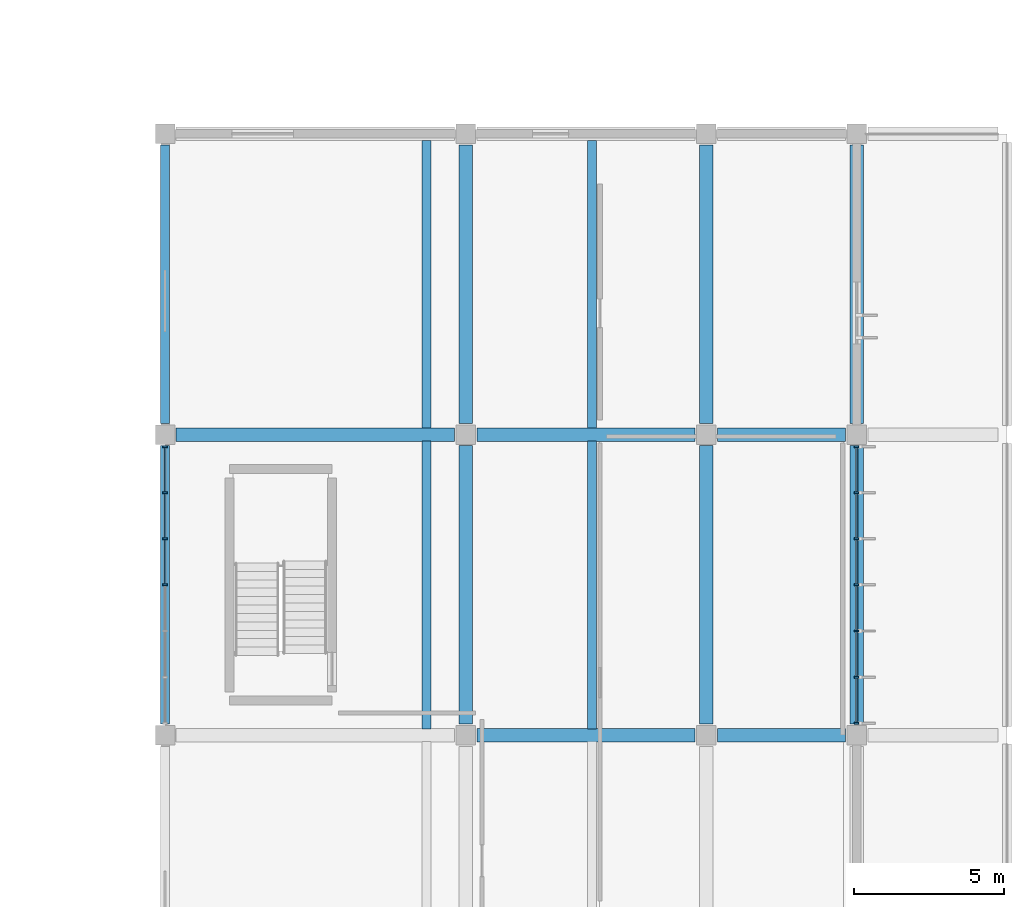
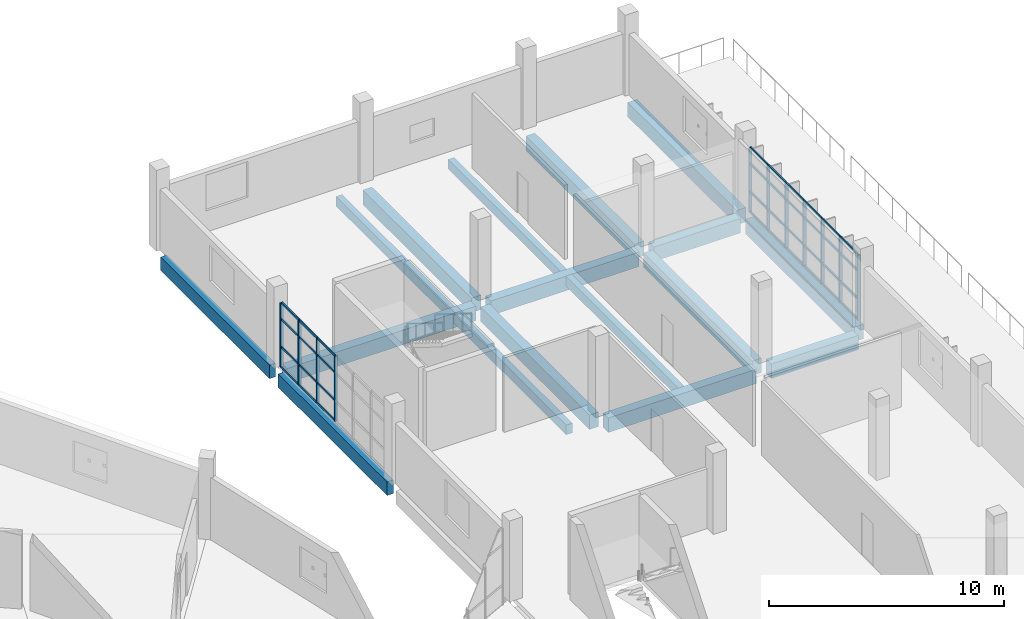
# One storey, part 67 of 142: 47 members, 17 beams, 2 elements without a shape of their own.
"""IFC4 building model written with IfcOpenShell, lengths in metres."""

from ifc_helpers import new_model, si_unit, direction, frame, origin, origin_2d, place, context, subcontext, project, spatial, rectangle, extrude, material, layer, layer_set, material_profile, profile_set, type_object, element, aggregate, save


model = new_model("IFC4")

# Units and contexts
model_context = context("Model", 3, precision=1e-05, world=origin(), true_north=direction((0.0, 1.0)))
body_context = subcontext(model_context, "Body", "Model", "MODEL_VIEW")
ifc_project = project(units=[si_unit("LENGTHUNIT", "METRE"), si_unit("AREAUNIT", "SQUARE_METRE"), si_unit("VOLUMEUNIT", "CUBIC_METRE"), si_unit("PLANEANGLEUNIT", "RADIAN"), si_unit("MASSUNIT", "GRAM", prefix="KILO")], contexts=[model_context])

# Site, building, storey
site_placement = place(None, origin())
site = spatial("IfcSite", under=ifc_project, at=site_placement, CompositionType="ELEMENT")
building_placement = place(site_placement, origin())
building = spatial("IfcBuilding", under=site, at=building_placement, Name="Corvandel Quay Wholesale Market", CompositionType="ELEMENT")
storey_placement = place(building_placement, frame((0.0, 0.0, 10.800048828125)))
storey = spatial("IfcBuildingStorey", under=building, at=storey_placement, Name="L02", CompositionType="ELEMENT", Elevation=10.800048828125)

# Curtain wall, members
ifc_material_1 = material(Name="Bronze anodised aluminium and low-E insulated glazing", Category="aluminium")
ifc_layer_1 = layer(ifc_material_1, 0.14990234375)
ifc_layer_set_1 = layer_set([ifc_layer_1], Name="Bronze anodised aluminium and low-E insulated glazing")
curtain_wall_type_1 = type_object("IfcCurtainWallType", Name="Stick Curtain Wall System CW20 H4800", PredefinedType="NOTDEFINED", material=ifc_layer_set_1)
curtain_wall_1_placement = place(storey_placement, origin())
curtain_wall_1 = element("IfcCurtainWall", 1, at=curtain_wall_1_placement, inside=storey, type_object=curtain_wall_type_1, Name="Curtain Wall CW-0160", PredefinedType="NOTDEFINED")
ifc_material_2 = material(Name="Anodised aluminium 6063-T6", Category="aluminium")
ifc_material_profile_1 = material_profile(ifc_material_2, rectangle(XDim=0.06494140625, YDim=0.14990234375, at=origin_2d()), Name="ALU-MUL-65x150")
ifc_profile_set_1 = profile_set([ifc_material_profile_1], Name="Anodised aluminium 6063-T6")
member_type_1 = type_object("IfcMemberType", Name="Curtain Wall Mullion ML02 65x150", PredefinedType="MULLION", material=ifc_profile_set_1)
member_1_placement = place(storey_placement, frame((243.0, 80.39990234375, 0.0), z_axis=(0.0, 0.0, 1.0), x_axis=(0.0, 1.0, 0.0)))
member_1 = element("IfcMember", 2, at=member_1_placement, type_object=member_type_1, Name="Mullion CW-0160-M00", PredefinedType="MULLION", context=body_context, shape_type="SweptSolid", body=[
    extrude(rectangle(XDim=0.06494140625, YDim=0.14990234375, at=origin_2d()), origin(), (0.0, 0.0, 1.0), 3.349853515625),
])
member_2_placement = place(storey_placement, frame((243.0, 81.933349609375, 0.0), z_axis=(0.0, 0.0, 1.0), x_axis=(0.0, 1.0, 0.0)))
member_2 = element("IfcMember", 3, at=member_2_placement, type_object=member_type_1, Name="Mullion CW-0160-M01", PredefinedType="MULLION", context=body_context, shape_type="SweptSolid", body=[
    extrude(rectangle(XDim=0.06494140625, YDim=0.14990234375, at=origin_2d()), origin(), (0.0, 0.0, 1.0), 3.349853515625),
])
member_3_placement = place(storey_placement, frame((243.0, 83.466796875, 0.0), z_axis=(0.0, 0.0, 1.0), x_axis=(0.0, 1.0, 0.0)))
member_3 = element("IfcMember", 4, at=member_3_placement, type_object=member_type_1, Name="Mullion CW-0160-M02", PredefinedType="MULLION", context=body_context, shape_type="SweptSolid", body=[
    extrude(rectangle(XDim=0.06494140625, YDim=0.14990234375, at=origin_2d()), origin(), (0.0, 0.0, 1.0), 3.349853515625),
])
member_4_placement = place(storey_placement, frame((243.0, 85.0, 0.0), z_axis=(0.0, 0.0, 1.0), x_axis=(0.0, 1.0, 0.0)))
member_4 = element("IfcMember", 5, at=member_4_placement, type_object=member_type_1, Name="Mullion CW-0160-M03", PredefinedType="MULLION", context=body_context, shape_type="SweptSolid", body=[
    extrude(rectangle(XDim=0.06494140625, YDim=0.14990234375, at=origin_2d()), origin(), (0.0, 0.0, 1.0), 3.349853515625),
])
member_5_placement = place(storey_placement, frame((243.0, 86.533203125, 0.0), z_axis=(0.0, 0.0, 1.0), x_axis=(0.0, 1.0, 0.0)))
member_5 = element("IfcMember", 6, at=member_5_placement, type_object=member_type_1, Name="Mullion CW-0160-M04", PredefinedType="MULLION", context=body_context, shape_type="SweptSolid", body=[
    extrude(rectangle(XDim=0.06494140625, YDim=0.14990234375, at=origin_2d()), origin(), (0.0, 0.0, 1.0), 3.349853515625),
])
member_6_placement = place(storey_placement, frame((243.0, 88.066650390625, 0.0), z_axis=(0.0, 0.0, 1.0), x_axis=(0.0, 1.0, 0.0)))
member_6 = element("IfcMember", 7, at=member_6_placement, type_object=member_type_1, Name="Mullion CW-0160-M05", PredefinedType="MULLION", context=body_context, shape_type="SweptSolid", body=[
    extrude(rectangle(XDim=0.06494140625, YDim=0.14990234375, at=origin_2d()), origin(), (0.0, 0.0, 1.0), 3.349853515625),
])
member_7_placement = place(storey_placement, frame((243.0, 89.60009765625, 0.0), z_axis=(0.0, 0.0, 1.0), x_axis=(0.0, 1.0, 0.0)))
member_7 = element("IfcMember", 8, at=member_7_placement, type_object=member_type_1, Name="Mullion CW-0160-M06", PredefinedType="MULLION", context=body_context, shape_type="SweptSolid", body=[
    extrude(rectangle(XDim=0.06494140625, YDim=0.14990234375, at=origin_2d()), origin(), (0.0, 0.0, 1.0), 3.349853515625),
])

ifc_layer_2 = layer(ifc_material_1, 0.162109375)
ifc_layer_set_2 = layer_set([ifc_layer_2], Name="Bronze anodised aluminium and low-E insulated glazing")
curtain_wall_type_2 = type_object("IfcCurtainWallType", Name="Stick Curtain Wall System CW26 H5340", PredefinedType="NOTDEFINED", material=ifc_layer_set_2)
curtain_wall_2_placement = place(storey_placement, origin())
curtain_wall_2 = element("IfcCurtainWall", 9, at=curtain_wall_2_placement, inside=storey, type_object=curtain_wall_type_2, Name="Curtain Wall CW-0161", PredefinedType="NOTDEFINED")
member_8_placement = place(storey_placement, frame((220.0, 85.0, 0.0), z_axis=(0.0, 0.0, 1.0), x_axis=(0.0, 1.0, 0.0)))
member_8 = element("IfcMember", 10, at=member_8_placement, type_object=member_type_1, Name="Mullion CW-0161-M03", PredefinedType="MULLION", context=body_context, shape_type="SweptSolid", body=[
    extrude(rectangle(XDim=0.06494140625, YDim=0.14990234375, at=origin_2d()), origin(), (0.0, 0.0, 1.0), 3.349853515625),
])
member_9_placement = place(storey_placement, frame((220.0, 86.533203125, 0.0), z_axis=(0.0, 0.0, 1.0), x_axis=(0.0, 1.0, 0.0)))
member_9 = element("IfcMember", 11, at=member_9_placement, type_object=member_type_1, Name="Mullion CW-0161-M04", PredefinedType="MULLION", context=body_context, shape_type="SweptSolid", body=[
    extrude(rectangle(XDim=0.06494140625, YDim=0.14990234375, at=origin_2d()), origin(), (0.0, 0.0, 1.0), 3.349853515625),
])
member_10_placement = place(storey_placement, frame((220.0, 88.066650390625, 0.0), z_axis=(0.0, 0.0, 1.0), x_axis=(0.0, 1.0, 0.0)))
member_10 = element("IfcMember", 12, at=member_10_placement, type_object=member_type_1, Name="Mullion CW-0161-M05", PredefinedType="MULLION", context=body_context, shape_type="SweptSolid", body=[
    extrude(rectangle(XDim=0.06494140625, YDim=0.14990234375, at=origin_2d()), origin(), (0.0, 0.0, 1.0), 3.349853515625),
])
member_11_placement = place(storey_placement, frame((220.0, 89.60009765625, 0.0), z_axis=(0.0, 0.0, 1.0), x_axis=(0.0, 1.0, 0.0)))
member_11 = element("IfcMember", 13, at=member_11_placement, type_object=member_type_1, Name="Mullion CW-0161-M06", PredefinedType="MULLION", context=body_context, shape_type="SweptSolid", body=[
    extrude(rectangle(XDim=0.06494140625, YDim=0.14990234375, at=origin_2d()), origin(), (0.0, 0.0, 1.0), 3.349853515625),
])

# Member
ifc_material_profile_2 = material_profile(ifc_material_2, rectangle(XDim=0.06005859375, YDim=0.110107421875, at=origin_2d()), Name="ALU-TRN-60x110")
ifc_profile_set_2 = profile_set([ifc_material_profile_2], Name="Anodised aluminium 6063-T6")
member_type_2 = type_object("IfcMemberType", Name="Curtain Wall Transom TR02 60x110", PredefinedType="USERDEFINED", material=ifc_profile_set_2)
member_12_placement = place(storey_placement, frame((243.0, 80.4326171875, 0.0), z_axis=(0.0, 1.0, 0.0), x_axis=(-1.0, 0.0, 0.0)))
member_12 = element("IfcMember", 14, at=member_12_placement, type_object=member_type_2, Name="Transom CW-0160-T00-0", ObjectType="TRANSOM", PredefinedType="USERDEFINED", context=body_context, shape_type="SweptSolid", body=[
    extrude(rectangle(XDim=0.06005859375, YDim=0.110107421875, at=origin_2d()), origin(), (0.0, 0.0, 1.0), 1.46826171875),
])

member_13_placement = place(storey_placement, frame((243.0, 80.4326171875, 1.050048828125), z_axis=(0.0, 1.0, 0.0), x_axis=(-1.0, 0.0, 0.0)))
member_13 = element("IfcMember", 15, at=member_13_placement, type_object=member_type_2, Name="Transom CW-0160-T00-1", ObjectType="TRANSOM", PredefinedType="USERDEFINED", context=body_context, shape_type="SweptSolid", body=[
    extrude(rectangle(XDim=0.06005859375, YDim=0.110107421875, at=origin_2d()), origin(), (0.0, 0.0, 1.0), 1.46826171875),
])

member_14_placement = place(storey_placement, frame((243.0, 80.4326171875, 2.5), z_axis=(0.0, 1.0, 0.0), x_axis=(-1.0, 0.0, 0.0)))
member_14 = element("IfcMember", 16, at=member_14_placement, type_object=member_type_2, Name="Transom CW-0160-T00-2", ObjectType="TRANSOM", PredefinedType="USERDEFINED", context=body_context, shape_type="SweptSolid", body=[
    extrude(rectangle(XDim=0.06005859375, YDim=0.110107421875, at=origin_2d()), origin(), (0.0, 0.0, 1.0), 1.46826171875),
])

member_15_placement = place(storey_placement, frame((243.0, 80.4326171875, 3.349853515625), z_axis=(0.0, 1.0, 0.0), x_axis=(-1.0, 0.0, 0.0)))
member_15 = element("IfcMember", 17, at=member_15_placement, type_object=member_type_2, Name="Transom CW-0160-T00-3", ObjectType="TRANSOM", PredefinedType="USERDEFINED", context=body_context, shape_type="SweptSolid", body=[
    extrude(rectangle(XDim=0.06005859375, YDim=0.110107421875, at=origin_2d()), origin(), (0.0, 0.0, 1.0), 1.46826171875),
])

member_16_placement = place(storey_placement, frame((243.0, 81.9658203125, 0.0), z_axis=(0.0, 1.0, 0.0), x_axis=(-1.0, 0.0, 0.0)))
member_16 = element("IfcMember", 18, at=member_16_placement, type_object=member_type_2, Name="Transom CW-0160-T01-0", ObjectType="TRANSOM", PredefinedType="USERDEFINED", context=body_context, shape_type="SweptSolid", body=[
    extrude(rectangle(XDim=0.06005859375, YDim=0.110107421875, at=origin_2d()), origin(), (0.0, 0.0, 1.0), 1.46826171875),
])

member_17_placement = place(storey_placement, frame((243.0, 81.9658203125, 1.050048828125), z_axis=(0.0, 1.0, 0.0), x_axis=(-1.0, 0.0, 0.0)))
member_17 = element("IfcMember", 19, at=member_17_placement, type_object=member_type_2, Name="Transom CW-0160-T01-1", ObjectType="TRANSOM", PredefinedType="USERDEFINED", context=body_context, shape_type="SweptSolid", body=[
    extrude(rectangle(XDim=0.06005859375, YDim=0.110107421875, at=origin_2d()), origin(), (0.0, 0.0, 1.0), 1.46826171875),
])

member_18_placement = place(storey_placement, frame((243.0, 81.9658203125, 2.5), z_axis=(0.0, 1.0, 0.0), x_axis=(-1.0, 0.0, 0.0)))
member_18 = element("IfcMember", 20, at=member_18_placement, type_object=member_type_2, Name="Transom CW-0160-T01-2", ObjectType="TRANSOM", PredefinedType="USERDEFINED", context=body_context, shape_type="SweptSolid", body=[
    extrude(rectangle(XDim=0.06005859375, YDim=0.110107421875, at=origin_2d()), origin(), (0.0, 0.0, 1.0), 1.46826171875),
])

member_19_placement = place(storey_placement, frame((243.0, 81.9658203125, 3.349853515625), z_axis=(0.0, 1.0, 0.0), x_axis=(-1.0, 0.0, 0.0)))
member_19 = element("IfcMember", 21, at=member_19_placement, type_object=member_type_2, Name="Transom CW-0160-T01-3", ObjectType="TRANSOM", PredefinedType="USERDEFINED", context=body_context, shape_type="SweptSolid", body=[
    extrude(rectangle(XDim=0.06005859375, YDim=0.110107421875, at=origin_2d()), origin(), (0.0, 0.0, 1.0), 1.46826171875),
])

member_20_placement = place(storey_placement, frame((243.0, 83.499267578125, 0.0), z_axis=(0.0, 1.0, 0.0), x_axis=(-1.0, 0.0, 0.0)))
member_20 = element("IfcMember", 22, at=member_20_placement, type_object=member_type_2, Name="Transom CW-0160-T02-0", ObjectType="TRANSOM", PredefinedType="USERDEFINED", context=body_context, shape_type="SweptSolid", body=[
    extrude(rectangle(XDim=0.06005859375, YDim=0.110107421875, at=origin_2d()), origin(), (0.0, 0.0, 1.0), 1.46826171875),
])

member_21_placement = place(storey_placement, frame((243.0, 83.499267578125, 1.050048828125), z_axis=(0.0, 1.0, 0.0), x_axis=(-1.0, 0.0, 0.0)))
member_21 = element("IfcMember", 23, at=member_21_placement, type_object=member_type_2, Name="Transom CW-0160-T02-1", ObjectType="TRANSOM", PredefinedType="USERDEFINED", context=body_context, shape_type="SweptSolid", body=[
    extrude(rectangle(XDim=0.06005859375, YDim=0.110107421875, at=origin_2d()), origin(), (0.0, 0.0, 1.0), 1.46826171875),
])

member_22_placement = place(storey_placement, frame((243.0, 83.499267578125, 2.5), z_axis=(0.0, 1.0, 0.0), x_axis=(-1.0, 0.0, 0.0)))
member_22 = element("IfcMember", 24, at=member_22_placement, type_object=member_type_2, Name="Transom CW-0160-T02-2", ObjectType="TRANSOM", PredefinedType="USERDEFINED", context=body_context, shape_type="SweptSolid", body=[
    extrude(rectangle(XDim=0.06005859375, YDim=0.110107421875, at=origin_2d()), origin(), (0.0, 0.0, 1.0), 1.46826171875),
])

member_23_placement = place(storey_placement, frame((243.0, 83.499267578125, 3.349853515625), z_axis=(0.0, 1.0, 0.0), x_axis=(-1.0, 0.0, 0.0)))
member_23 = element("IfcMember", 25, at=member_23_placement, type_object=member_type_2, Name="Transom CW-0160-T02-3", ObjectType="TRANSOM", PredefinedType="USERDEFINED", context=body_context, shape_type="SweptSolid", body=[
    extrude(rectangle(XDim=0.06005859375, YDim=0.110107421875, at=origin_2d()), origin(), (0.0, 0.0, 1.0), 1.46826171875),
])

member_24_placement = place(storey_placement, frame((243.0, 85.032470703125, 0.0), z_axis=(0.0, 1.0, 0.0), x_axis=(-1.0, 0.0, 0.0)))
member_24 = element("IfcMember", 26, at=member_24_placement, type_object=member_type_2, Name="Transom CW-0160-T03-0", ObjectType="TRANSOM", PredefinedType="USERDEFINED", context=body_context, shape_type="SweptSolid", body=[
    extrude(rectangle(XDim=0.06005859375, YDim=0.110107421875, at=origin_2d()), origin(), (0.0, 0.0, 1.0), 1.46826171875),
])

member_25_placement = place(storey_placement, frame((243.0, 85.032470703125, 1.050048828125), z_axis=(0.0, 1.0, 0.0), x_axis=(-1.0, 0.0, 0.0)))
member_25 = element("IfcMember", 27, at=member_25_placement, type_object=member_type_2, Name="Transom CW-0160-T03-1", ObjectType="TRANSOM", PredefinedType="USERDEFINED", context=body_context, shape_type="SweptSolid", body=[
    extrude(rectangle(XDim=0.06005859375, YDim=0.110107421875, at=origin_2d()), origin(), (0.0, 0.0, 1.0), 1.46826171875),
])

member_26_placement = place(storey_placement, frame((243.0, 85.032470703125, 2.5), z_axis=(0.0, 1.0, 0.0), x_axis=(-1.0, 0.0, 0.0)))
member_26 = element("IfcMember", 28, at=member_26_placement, type_object=member_type_2, Name="Transom CW-0160-T03-2", ObjectType="TRANSOM", PredefinedType="USERDEFINED", context=body_context, shape_type="SweptSolid", body=[
    extrude(rectangle(XDim=0.06005859375, YDim=0.110107421875, at=origin_2d()), origin(), (0.0, 0.0, 1.0), 1.46826171875),
])

member_27_placement = place(storey_placement, frame((243.0, 85.032470703125, 3.349853515625), z_axis=(0.0, 1.0, 0.0), x_axis=(-1.0, 0.0, 0.0)))
member_27 = element("IfcMember", 29, at=member_27_placement, type_object=member_type_2, Name="Transom CW-0160-T03-3", ObjectType="TRANSOM", PredefinedType="USERDEFINED", context=body_context, shape_type="SweptSolid", body=[
    extrude(rectangle(XDim=0.06005859375, YDim=0.110107421875, at=origin_2d()), origin(), (0.0, 0.0, 1.0), 1.46826171875),
])

member_28_placement = place(storey_placement, frame((243.0, 86.56591796875, 0.0), z_axis=(0.0, 1.0, 0.0), x_axis=(-1.0, 0.0, 0.0)))
member_28 = element("IfcMember", 30, at=member_28_placement, type_object=member_type_2, Name="Transom CW-0160-T04-0", ObjectType="TRANSOM", PredefinedType="USERDEFINED", context=body_context, shape_type="SweptSolid", body=[
    extrude(rectangle(XDim=0.06005859375, YDim=0.110107421875, at=origin_2d()), origin(), (0.0, 0.0, 1.0), 1.46826171875),
])

member_29_placement = place(storey_placement, frame((243.0, 86.56591796875, 1.050048828125), z_axis=(0.0, 1.0, 0.0), x_axis=(-1.0, 0.0, 0.0)))
member_29 = element("IfcMember", 31, at=member_29_placement, type_object=member_type_2, Name="Transom CW-0160-T04-1", ObjectType="TRANSOM", PredefinedType="USERDEFINED", context=body_context, shape_type="SweptSolid", body=[
    extrude(rectangle(XDim=0.06005859375, YDim=0.110107421875, at=origin_2d()), origin(), (0.0, 0.0, 1.0), 1.46826171875),
])

member_30_placement = place(storey_placement, frame((243.0, 86.56591796875, 2.5), z_axis=(0.0, 1.0, 0.0), x_axis=(-1.0, 0.0, 0.0)))
member_30 = element("IfcMember", 32, at=member_30_placement, type_object=member_type_2, Name="Transom CW-0160-T04-2", ObjectType="TRANSOM", PredefinedType="USERDEFINED", context=body_context, shape_type="SweptSolid", body=[
    extrude(rectangle(XDim=0.06005859375, YDim=0.110107421875, at=origin_2d()), origin(), (0.0, 0.0, 1.0), 1.46826171875),
])

member_31_placement = place(storey_placement, frame((243.0, 86.56591796875, 3.349853515625), z_axis=(0.0, 1.0, 0.0), x_axis=(-1.0, 0.0, 0.0)))
member_31 = element("IfcMember", 33, at=member_31_placement, type_object=member_type_2, Name="Transom CW-0160-T04-3", ObjectType="TRANSOM", PredefinedType="USERDEFINED", context=body_context, shape_type="SweptSolid", body=[
    extrude(rectangle(XDim=0.06005859375, YDim=0.110107421875, at=origin_2d()), origin(), (0.0, 0.0, 1.0), 1.46826171875),
])

member_32_placement = place(storey_placement, frame((243.0, 88.09912109375, 0.0), z_axis=(0.0, 1.0, 0.0), x_axis=(-1.0, 0.0, 0.0)))
member_32 = element("IfcMember", 34, at=member_32_placement, type_object=member_type_2, Name="Transom CW-0160-T05-0", ObjectType="TRANSOM", PredefinedType="USERDEFINED", context=body_context, shape_type="SweptSolid", body=[
    extrude(rectangle(XDim=0.06005859375, YDim=0.110107421875, at=origin_2d()), origin(), (0.0, 0.0, 1.0), 1.46826171875),
])

member_33_placement = place(storey_placement, frame((243.0, 88.09912109375, 1.050048828125), z_axis=(0.0, 1.0, 0.0), x_axis=(-1.0, 0.0, 0.0)))
member_33 = element("IfcMember", 35, at=member_33_placement, type_object=member_type_2, Name="Transom CW-0160-T05-1", ObjectType="TRANSOM", PredefinedType="USERDEFINED", context=body_context, shape_type="SweptSolid", body=[
    extrude(rectangle(XDim=0.06005859375, YDim=0.110107421875, at=origin_2d()), origin(), (0.0, 0.0, 1.0), 1.46826171875),
])

member_34_placement = place(storey_placement, frame((243.0, 88.09912109375, 2.5), z_axis=(0.0, 1.0, 0.0), x_axis=(-1.0, 0.0, 0.0)))
member_34 = element("IfcMember", 36, at=member_34_placement, type_object=member_type_2, Name="Transom CW-0160-T05-2", ObjectType="TRANSOM", PredefinedType="USERDEFINED", context=body_context, shape_type="SweptSolid", body=[
    extrude(rectangle(XDim=0.06005859375, YDim=0.110107421875, at=origin_2d()), origin(), (0.0, 0.0, 1.0), 1.46826171875),
])

member_35_placement = place(storey_placement, frame((243.0, 88.09912109375, 3.349853515625), z_axis=(0.0, 1.0, 0.0), x_axis=(-1.0, 0.0, 0.0)))
member_35 = element("IfcMember", 37, at=member_35_placement, type_object=member_type_2, Name="Transom CW-0160-T05-3", ObjectType="TRANSOM", PredefinedType="USERDEFINED", context=body_context, shape_type="SweptSolid", body=[
    extrude(rectangle(XDim=0.06005859375, YDim=0.110107421875, at=origin_2d()), origin(), (0.0, 0.0, 1.0), 1.46826171875),
])

aggregate(curtain_wall_1, [member_1, member_2, member_3, member_4, member_5, member_6, member_7, member_12, member_13, member_14, member_15, member_16, member_17, member_18, member_19, member_20, member_21, member_22, member_23, member_24, member_25, member_26, member_27, member_28, member_29, member_30, member_31, member_32, member_33, member_34, member_35])

member_36_placement = place(storey_placement, frame((220.0, 85.032470703125, 0.0), z_axis=(0.0, 1.0, 0.0), x_axis=(-1.0, 0.0, 0.0)))
member_36 = element("IfcMember", 38, at=member_36_placement, type_object=member_type_2, Name="Transom CW-0161-T03-0", ObjectType="TRANSOM", PredefinedType="USERDEFINED", context=body_context, shape_type="SweptSolid", body=[
    extrude(rectangle(XDim=0.06005859375, YDim=0.110107421875, at=origin_2d()), origin(), (0.0, 0.0, 1.0), 1.46826171875),
])

member_37_placement = place(storey_placement, frame((220.0, 85.032470703125, 1.050048828125), z_axis=(0.0, 1.0, 0.0), x_axis=(-1.0, 0.0, 0.0)))
member_37 = element("IfcMember", 39, at=member_37_placement, type_object=member_type_2, Name="Transom CW-0161-T03-1", ObjectType="TRANSOM", PredefinedType="USERDEFINED", context=body_context, shape_type="SweptSolid", body=[
    extrude(rectangle(XDim=0.06005859375, YDim=0.110107421875, at=origin_2d()), origin(), (0.0, 0.0, 1.0), 1.46826171875),
])

member_38_placement = place(storey_placement, frame((220.0, 85.032470703125, 2.5), z_axis=(0.0, 1.0, 0.0), x_axis=(-1.0, 0.0, 0.0)))
member_38 = element("IfcMember", 40, at=member_38_placement, type_object=member_type_2, Name="Transom CW-0161-T03-2", ObjectType="TRANSOM", PredefinedType="USERDEFINED", context=body_context, shape_type="SweptSolid", body=[
    extrude(rectangle(XDim=0.06005859375, YDim=0.110107421875, at=origin_2d()), origin(), (0.0, 0.0, 1.0), 1.46826171875),
])

member_39_placement = place(storey_placement, frame((220.0, 85.032470703125, 3.349853515625), z_axis=(0.0, 1.0, 0.0), x_axis=(-1.0, 0.0, 0.0)))
member_39 = element("IfcMember", 41, at=member_39_placement, type_object=member_type_2, Name="Transom CW-0161-T03-3", ObjectType="TRANSOM", PredefinedType="USERDEFINED", context=body_context, shape_type="SweptSolid", body=[
    extrude(rectangle(XDim=0.06005859375, YDim=0.110107421875, at=origin_2d()), origin(), (0.0, 0.0, 1.0), 1.46826171875),
])

member_40_placement = place(storey_placement, frame((220.0, 86.56591796875, 0.0), z_axis=(0.0, 1.0, 0.0), x_axis=(-1.0, 0.0, 0.0)))
member_40 = element("IfcMember", 42, at=member_40_placement, type_object=member_type_2, Name="Transom CW-0161-T04-0", ObjectType="TRANSOM", PredefinedType="USERDEFINED", context=body_context, shape_type="SweptSolid", body=[
    extrude(rectangle(XDim=0.06005859375, YDim=0.110107421875, at=origin_2d()), origin(), (0.0, 0.0, 1.0), 1.46826171875),
])

member_41_placement = place(storey_placement, frame((220.0, 86.56591796875, 1.050048828125), z_axis=(0.0, 1.0, 0.0), x_axis=(-1.0, 0.0, 0.0)))
member_41 = element("IfcMember", 43, at=member_41_placement, type_object=member_type_2, Name="Transom CW-0161-T04-1", ObjectType="TRANSOM", PredefinedType="USERDEFINED", context=body_context, shape_type="SweptSolid", body=[
    extrude(rectangle(XDim=0.06005859375, YDim=0.110107421875, at=origin_2d()), origin(), (0.0, 0.0, 1.0), 1.46826171875),
])

member_42_placement = place(storey_placement, frame((220.0, 86.56591796875, 2.5), z_axis=(0.0, 1.0, 0.0), x_axis=(-1.0, 0.0, 0.0)))
member_42 = element("IfcMember", 44, at=member_42_placement, type_object=member_type_2, Name="Transom CW-0161-T04-2", ObjectType="TRANSOM", PredefinedType="USERDEFINED", context=body_context, shape_type="SweptSolid", body=[
    extrude(rectangle(XDim=0.06005859375, YDim=0.110107421875, at=origin_2d()), origin(), (0.0, 0.0, 1.0), 1.46826171875),
])

member_43_placement = place(storey_placement, frame((220.0, 86.56591796875, 3.349853515625), z_axis=(0.0, 1.0, 0.0), x_axis=(-1.0, 0.0, 0.0)))
member_43 = element("IfcMember", 45, at=member_43_placement, type_object=member_type_2, Name="Transom CW-0161-T04-3", ObjectType="TRANSOM", PredefinedType="USERDEFINED", context=body_context, shape_type="SweptSolid", body=[
    extrude(rectangle(XDim=0.06005859375, YDim=0.110107421875, at=origin_2d()), origin(), (0.0, 0.0, 1.0), 1.46826171875),
])

member_44_placement = place(storey_placement, frame((220.0, 88.09912109375, 0.0), z_axis=(0.0, 1.0, 0.0), x_axis=(-1.0, 0.0, 0.0)))
member_44 = element("IfcMember", 46, at=member_44_placement, type_object=member_type_2, Name="Transom CW-0161-T05-0", ObjectType="TRANSOM", PredefinedType="USERDEFINED", context=body_context, shape_type="SweptSolid", body=[
    extrude(rectangle(XDim=0.06005859375, YDim=0.110107421875, at=origin_2d()), origin(), (0.0, 0.0, 1.0), 1.46826171875),
])

member_45_placement = place(storey_placement, frame((220.0, 88.09912109375, 1.050048828125), z_axis=(0.0, 1.0, 0.0), x_axis=(-1.0, 0.0, 0.0)))
member_45 = element("IfcMember", 47, at=member_45_placement, type_object=member_type_2, Name="Transom CW-0161-T05-1", ObjectType="TRANSOM", PredefinedType="USERDEFINED", context=body_context, shape_type="SweptSolid", body=[
    extrude(rectangle(XDim=0.06005859375, YDim=0.110107421875, at=origin_2d()), origin(), (0.0, 0.0, 1.0), 1.46826171875),
])

member_46_placement = place(storey_placement, frame((220.0, 88.09912109375, 2.5), z_axis=(0.0, 1.0, 0.0), x_axis=(-1.0, 0.0, 0.0)))
member_46 = element("IfcMember", 48, at=member_46_placement, type_object=member_type_2, Name="Transom CW-0161-T05-2", ObjectType="TRANSOM", PredefinedType="USERDEFINED", context=body_context, shape_type="SweptSolid", body=[
    extrude(rectangle(XDim=0.06005859375, YDim=0.110107421875, at=origin_2d()), origin(), (0.0, 0.0, 1.0), 1.46826171875),
])

member_47_placement = place(storey_placement, frame((220.0, 88.09912109375, 3.349853515625), z_axis=(0.0, 1.0, 0.0), x_axis=(-1.0, 0.0, 0.0)))
member_47 = element("IfcMember", 49, at=member_47_placement, type_object=member_type_2, Name="Transom CW-0161-T05-3", ObjectType="TRANSOM", PredefinedType="USERDEFINED", context=body_context, shape_type="SweptSolid", body=[
    extrude(rectangle(XDim=0.06005859375, YDim=0.110107421875, at=origin_2d()), origin(), (0.0, 0.0, 1.0), 1.46826171875),
])

aggregate(curtain_wall_2, [member_8, member_9, member_10, member_11, member_36, member_37, member_38, member_39, member_40, member_41, member_42, member_43, member_44, member_45, member_46, member_47])

# Beams
ifc_material_3 = material(Name="Precast concrete C45/55", Category="concrete")
ifc_material_profile_3 = material_profile(ifc_material_3, rectangle(XDim=0.300048828125, YDim=0.5, at=origin_2d()), Name="PC-BM-300x500")
ifc_profile_set_3 = profile_set([ifc_material_profile_3], Name="Precast concrete C45/55")
beam_type_1 = type_object("IfcBeamType", Name="Office Floor Secondary Beam B04 300x500", PredefinedType="BEAM", material=ifc_profile_set_3)
for number, where, z_axis, x_axis, name in (
    (50, (228.699951171875, 80.215087890625, -0.570068359375), (0.0, 1.0, 0.0), (-1.0, 0.0, 0.0), "Beam BM-1608"),
    (51, (234.199951171875, 80.215087890625, -0.570068359375), (0.0, 1.0, 0.0), (-1.0, 0.0, 0.0), "Beam BM-1609"),
    (52, (228.699951171875, 90.215087890625, -0.570068359375), (0.0, 1.0, 0.0), (-1.0, 0.0, 0.0), "Beam BM-1610"),
    (53, (234.199951171875, 90.215087890625, -0.570068359375), (0.0, 1.0, 0.0), (-1.0, 0.0, 0.0), "Beam BM-1611"),
):
    element("IfcBeam", number, at=place(storey_placement, frame(where, z_axis=z_axis, x_axis=x_axis)), inside=storey, type_object=beam_type_1, Name=name, PredefinedType="BEAM", context=body_context, shape_type="SweptSolid", body=[
        extrude(rectangle(XDim=0.300048828125, YDim=0.5, at=origin_2d()), origin(), (0.0, 0.0, 1.0), 9.56982421875),
    ])
ifc_material_profile_4 = material_profile(ifc_material_3, rectangle(XDim=0.300048828125, YDim=0.699951171875, at=origin_2d()), Name="PC-SPN-300x700")
ifc_profile_set_4 = profile_set([ifc_material_profile_4], Name="Precast concrete C45/55")
beam_type_2 = type_object("IfcBeamType", Name="Terrace Edge Spandrel SP03 300x700", PredefinedType="SPANDREL", material=ifc_profile_set_4)
for number, where, z_axis, x_axis, name in (
    (54, (220.0, 80.3701171875, -0.670166015625), (0.0, 1.0, 0.0), (-1.0, 0.0, 0.0), "Beam BM-1556"),
    (55, (220.0, 90.3701171875, -0.670166015625), (0.0, 1.0, 0.0), (-1.0, 0.0, 0.0), "Beam BM-1557"),
):
    element("IfcBeam", number, at=place(storey_placement, frame(where, z_axis=z_axis, x_axis=x_axis)), inside=storey, type_object=beam_type_2, Name=name, PredefinedType="SPANDREL", context=body_context, shape_type="SweptSolid", body=[
        extrude(rectangle(XDim=0.300048828125, YDim=0.699951171875, at=origin_2d()), origin(), (0.0, 0.0, 1.0), 9.259765625),
    ])
ifc_material_profile_5 = material_profile(ifc_material_3, rectangle(XDim=0.449951171875, YDim=0.75, at=origin_2d()), Name="PC-GIR-450x750")
ifc_profile_set_5 = profile_set([ifc_material_profile_5], Name="Precast concrete C45/55")
beam_type_3 = type_object("IfcBeamType", Name="Waterfront Office Girder G06 450x750", PredefinedType="USERDEFINED", material=ifc_profile_set_5)
beam_1_placement = place(storey_placement, frame((230.3701171875, 80.0, -0.695068359375), z_axis=(1.0, 0.0, 0.0), x_axis=(0.0, 1.0, 0.0)))
element("IfcBeam", 56, at=beam_1_placement, inside=storey, type_object=beam_type_3, Name="Beam BM-1538", ObjectType="GIRDER", PredefinedType="USERDEFINED", context=body_context, shape_type="SweptSolid", body=[
    extrude(rectangle(XDim=0.449951171875, YDim=0.75, at=origin_2d()), origin(), (0.0, 0.0, 1.0), 7.259765625),
])
beam_2_placement = place(storey_placement, frame((238.3701171875, 80.0, -0.695068359375), z_axis=(1.0, 0.0, 0.0), x_axis=(0.0, 1.0, 0.0)))
element("IfcBeam", 57, at=beam_2_placement, inside=storey, type_object=beam_type_3, Name="Beam BM-1539", ObjectType="GIRDER", PredefinedType="USERDEFINED", context=body_context, shape_type="SweptSolid", body=[
    extrude(rectangle(XDim=0.449951171875, YDim=0.75, at=origin_2d()), origin(), (0.0, 0.0, 1.0), 4.259765625),
])
beam_3_placement = place(storey_placement, frame((220.3701171875, 90.0, -0.695068359375), z_axis=(1.0, 0.0, 0.0), x_axis=(0.0, 1.0, 0.0)))
element("IfcBeam", 58, at=beam_3_placement, inside=storey, type_object=beam_type_3, Name="Beam BM-1541", ObjectType="GIRDER", PredefinedType="USERDEFINED", context=body_context, shape_type="SweptSolid", body=[
    extrude(rectangle(XDim=0.449951171875, YDim=0.75, at=origin_2d()), origin(), (0.0, 0.0, 1.0), 9.259765625),
])
beam_4_placement = place(storey_placement, frame((230.3701171875, 90.0, -0.695068359375), z_axis=(1.0, 0.0, 0.0), x_axis=(0.0, 1.0, 0.0)))
element("IfcBeam", 59, at=beam_4_placement, inside=storey, type_object=beam_type_3, Name="Beam BM-1542", ObjectType="GIRDER", PredefinedType="USERDEFINED", context=body_context, shape_type="SweptSolid", body=[
    extrude(rectangle(XDim=0.449951171875, YDim=0.75, at=origin_2d()), origin(), (0.0, 0.0, 1.0), 7.259765625),
])
beam_5_placement = place(storey_placement, frame((238.3701171875, 90.0, -0.695068359375), z_axis=(1.0, 0.0, 0.0), x_axis=(0.0, 1.0, 0.0)))
element("IfcBeam", 60, at=beam_5_placement, inside=storey, type_object=beam_type_3, Name="Beam BM-1543", ObjectType="GIRDER", PredefinedType="USERDEFINED", context=body_context, shape_type="SweptSolid", body=[
    extrude(rectangle(XDim=0.449951171875, YDim=0.75, at=origin_2d()), origin(), (0.0, 0.0, 1.0), 4.259765625),
])
for number, where, z_axis, x_axis, name in (
    (61, (230.0, 80.3701171875, -0.695068359375), (0.0, 1.0, 0.0), (-1.0, 0.0, 0.0), "Beam BM-1565"),
    (62, (230.0, 90.3701171875, -0.695068359375), (0.0, 1.0, 0.0), (-1.0, 0.0, 0.0), "Beam BM-1566"),
    (63, (238.0, 80.3701171875, -0.695068359375), (0.0, 1.0, 0.0), (-1.0, 0.0, 0.0), "Beam BM-1574"),
    (64, (238.0, 90.3701171875, -0.695068359375), (0.0, 1.0, 0.0), (-1.0, 0.0, 0.0), "Beam BM-1575"),
    (65, (243.0, 80.3701171875, -0.695068359375), (0.0, 1.0, 0.0), (-1.0, 0.0, 0.0), "Beam BM-1583"),
    (66, (243.0, 90.3701171875, -0.695068359375), (0.0, 1.0, 0.0), (-1.0, 0.0, 0.0), "Beam BM-1584"),
):
    element("IfcBeam", number, at=place(storey_placement, frame(where, z_axis=z_axis, x_axis=x_axis)), inside=storey, type_object=beam_type_3, Name=name, ObjectType="GIRDER", PredefinedType="USERDEFINED", context=body_context, shape_type="SweptSolid", body=[
        extrude(rectangle(XDim=0.449951171875, YDim=0.75, at=origin_2d()), origin(), (0.0, 0.0, 1.0), 9.259765625),
    ])

save(model, "model.ifc")
